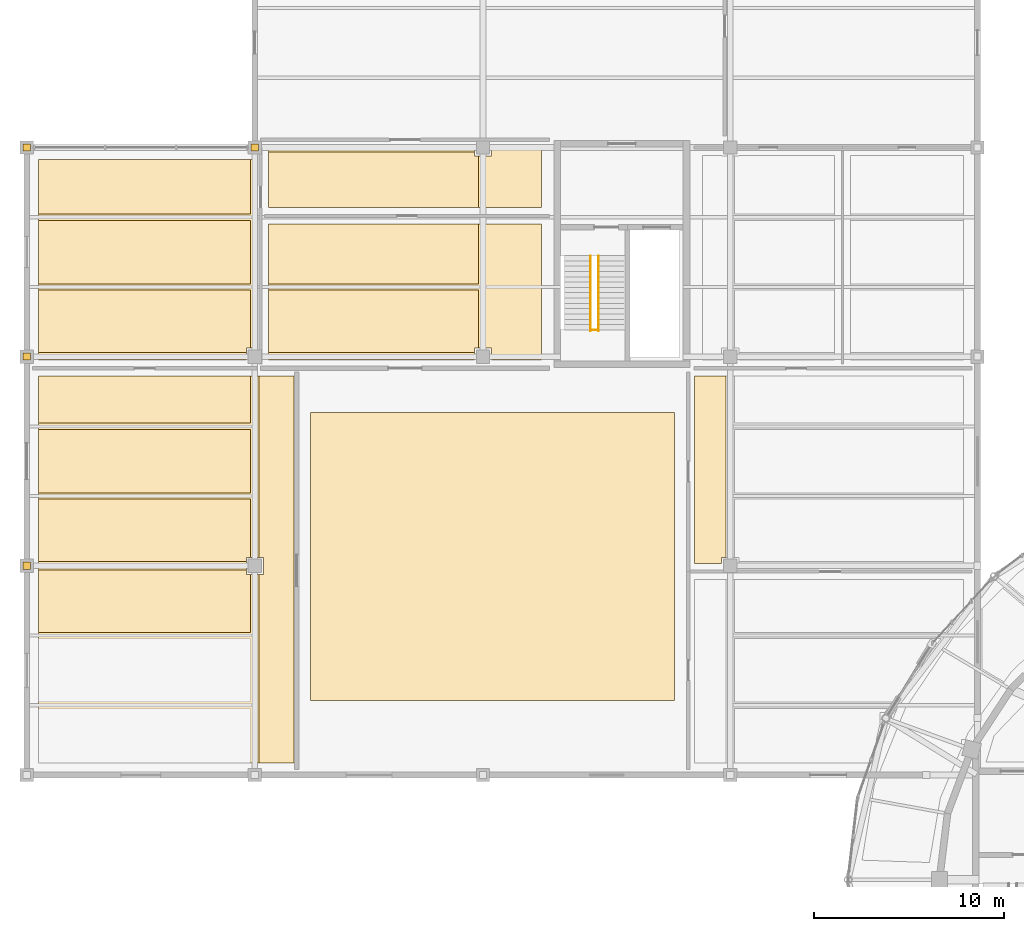
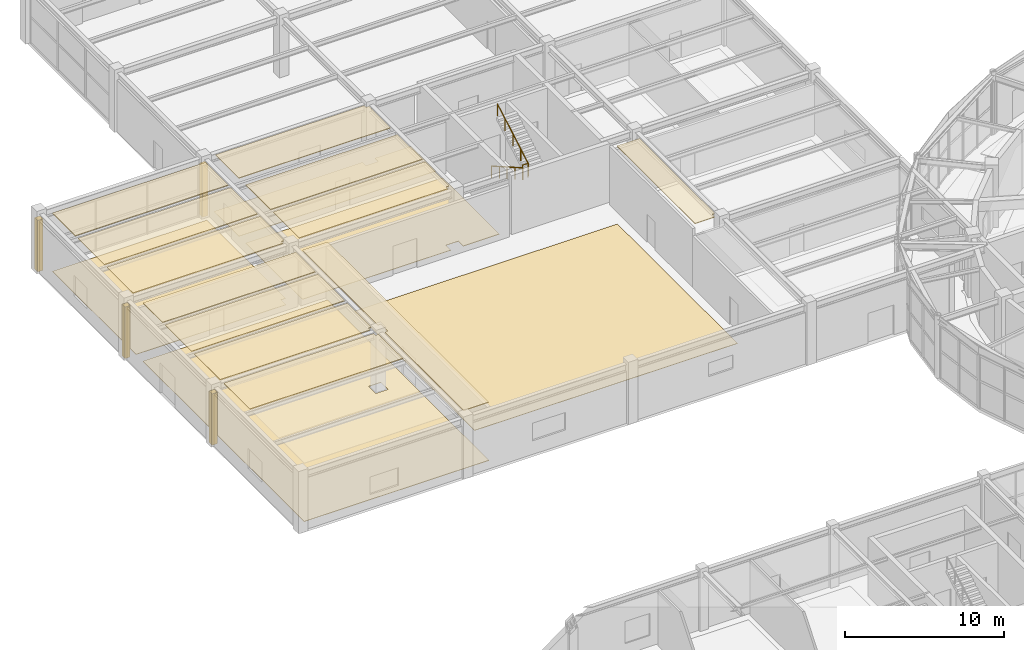
# One storey, part 104 of 108: 21 coverings, 3 railings.
"""IFC4 building model written with IfcOpenShell, lengths in metres."""

from ifc_helpers import new_model, si_unit, direction, frame, origin, origin_2d, place, context, subcontext, project, spatial, polyline, rectangle, circle, outline, extrude, material, layer, layer_set, type_object, element, save


model = new_model("IFC4")

# Units and contexts
model_context = context("Model", 3, precision=1e-05, world=origin(), true_north=direction((0.0, 1.0)))
body_context = subcontext(model_context, "Body", "Model", "MODEL_VIEW")
ifc_project = project(units=[si_unit("LENGTHUNIT", "METRE"), si_unit("AREAUNIT", "SQUARE_METRE"), si_unit("VOLUMEUNIT", "CUBIC_METRE"), si_unit("PLANEANGLEUNIT", "RADIAN"), si_unit("MASSUNIT", "GRAM", prefix="KILO")], contexts=[model_context])

# Site, building, storey
site_placement = place(None, origin())
site = spatial("IfcSite", under=ifc_project, at=site_placement, CompositionType="ELEMENT")
building_placement = place(site_placement, origin())
building = spatial("IfcBuilding", under=site, at=building_placement, Name="Tarnveldt Headland Concert Hall", CompositionType="ELEMENT")
storey_placement = place(building_placement, origin())
storey = spatial("IfcBuildingStorey", under=building, at=storey_placement, Name="L00", CompositionType="ELEMENT", Elevation=0.0)

# Coverings
ifc_material_1 = material(Name="Micro-perforated mvule acoustic ceiling panel", Category="timber")
ifc_layer_1 = layer(ifc_material_1, 0.050048828125, Name="Micro-perforated mvule acoustic ceiling panel", Category="timber")
ifc_layer_set_1 = layer_set([ifc_layer_1], Name="Micro-perforated mvule acoustic ceiling panel")
covering_type_1 = type_object("IfcCoveringType", Name="CV-CEIL50", PredefinedType="CEILING", material=ifc_layer_set_1)
covering_1_placement = place(storey_placement, frame((0.0, 0.0, 4.469970703125)))
element("IfcCovering", 1, at=covering_1_placement, inside=storey, type_object=covering_type_1, Name="Acoustic mvule ceiling L00-28-79", PredefinedType="CEILING", context=body_context, shape_type="SweptSolid", body=[
    extrude(outline(polyline([(42.6298828125, 80.969970703125), (44.27001953125, 80.969970703125), (44.27001953125, 71.449951171875), (44.050048828125, 71.449951171875), (44.050048828125, 71.1298828125), (42.6298828125, 71.1298828125), (42.6298828125, 80.969970703125)])), origin(), (0.0, 0.0, 1.0), 0.050048828125),
])
covering_2_placement = place(storey_placement, frame((0.0, 0.0, 4.469970703125)))
element("IfcCovering", 2, at=covering_2_placement, inside=storey, type_object=covering_type_1, Name="Acoustic mvule ceiling L00-29-81", PredefinedType="CEILING", context=body_context, shape_type="SweptSolid", body=[
    extrude(outline(polyline([(19.050048828125, 70.77001953125), (19.050048828125, 70.550048828125), (19.27001953125, 70.550048828125), (19.27001953125, 67.498046875), (8.1298828125, 67.498046875), (8.1298828125, 70.77001953125), (19.050048828125, 70.77001953125)])), origin(), (0.0, 0.0, 1.0), 0.050048828125),
])
covering_3_placement = place(storey_placement, frame((0.0, 0.0, 4.469970703125)))
element("IfcCovering", 3, at=covering_3_placement, inside=storey, type_object=covering_type_1, Name="Acoustic mvule ceiling L00-29-82", PredefinedType="CEILING", context=body_context, shape_type="SweptSolid", body=[
    extrude(outline(polyline([(19.72998046875, 71.449951171875), (19.72998046875, 80.969970703125), (21.570068359375, 80.969970703125), (21.570068359375, 60.6298828125), (19.72998046875, 60.6298828125), (19.72998046875, 70.550048828125), (19.949951171875, 70.550048828125), (19.949951171875, 71.449951171875), (19.72998046875, 71.449951171875)])), origin(), (0.0, 0.0, 1.0), 0.050048828125),
])
covering_4_placement = place(storey_placement, frame((0.0, 0.0, 4.469970703125)))
element("IfcCovering", 4, at=covering_4_placement, inside=storey, type_object=covering_type_1, Name="Acoustic mvule ceiling L00-29-83", PredefinedType="CEILING", context=body_context, shape_type="SweptSolid", body=[
    extrude(outline(polyline([(19.050048828125, 71.22998046875), (8.1298828125, 71.22998046875), (8.1298828125, 74.501953125), (19.27001953125, 74.501953125), (19.27001953125, 71.449951171875), (19.050048828125, 71.449951171875), (19.050048828125, 71.22998046875)])), origin(), (0.0, 0.0, 1.0), 0.050048828125),
])
covering_5_placement = place(storey_placement, frame((0.0, 0.0, 4.469970703125)))
element("IfcCovering", 5, at=covering_5_placement, inside=storey, type_object=covering_type_1, Name="Acoustic mvule ceiling L00-29-84", PredefinedType="CEILING", context=body_context, shape_type="SweptSolid", body=[
    extrude(outline(polyline([(8.1298828125, 78.16796875), (19.27001953125, 78.16796875), (19.27001953125, 74.83203125), (8.1298828125, 74.83203125), (8.1298828125, 78.16796875)])), origin(), (0.0, 0.0, 1.0), 0.050048828125),
])
covering_6_placement = place(storey_placement, frame((0.0, 0.0, 4.469970703125)))
element("IfcCovering", 6, at=covering_6_placement, inside=storey, type_object=covering_type_1, Name="Acoustic mvule ceiling L00-29-85", PredefinedType="CEILING", context=body_context, shape_type="SweptSolid", body=[
    extrude(outline(polyline([(8.1298828125, 80.969970703125), (19.27001953125, 80.969970703125), (19.27001953125, 78.498046875), (8.1298828125, 78.498046875), (8.1298828125, 80.969970703125)])), origin(), (0.0, 0.0, 1.0), 0.050048828125),
])
covering_7_placement = place(storey_placement, frame((0.0, 0.0, 4.469970703125)))
element("IfcCovering", 7, at=covering_7_placement, inside=storey, type_object=covering_type_1, Name="Acoustic mvule ceiling L00-30-87", PredefinedType="CEILING", context=body_context, shape_type="SweptSolid", body=[
    extrude(outline(polyline([(8.1298828125, 82.22998046875), (8.1298828125, 85.501953125), (19.27001953125, 85.501953125), (19.27001953125, 82.449951171875), (19.050048828125, 82.449951171875), (19.050048828125, 82.22998046875), (8.1298828125, 82.22998046875)])), origin(), (0.0, 0.0, 1.0), 0.050048828125),
])
covering_8_placement = place(storey_placement, frame((0.0, 0.0, 4.469970703125)))
element("IfcCovering", 8, at=covering_8_placement, inside=storey, type_object=covering_type_1, Name="Acoustic mvule ceiling L00-30-88", PredefinedType="CEILING", context=body_context, shape_type="SweptSolid", body=[
    extrude(outline(polyline([(8.1298828125, 89.16796875), (19.27001953125, 89.16796875), (19.27001953125, 85.83203125), (8.1298828125, 85.83203125), (8.1298828125, 89.16796875)])), origin(), (0.0, 0.0, 1.0), 0.050048828125),
])
covering_9_placement = place(storey_placement, frame((0.0, 0.0, 4.469970703125)))
element("IfcCovering", 9, at=covering_9_placement, inside=storey, type_object=covering_type_1, Name="Acoustic mvule ceiling L00-30-89", PredefinedType="CEILING", context=body_context, shape_type="SweptSolid", body=[
    extrude(outline(polyline([(8.1298828125, 92.3701171875), (19.27001953125, 92.3701171875), (19.27001953125, 89.498046875), (8.1298828125, 89.498046875), (8.1298828125, 92.3701171875)])), origin(), (0.0, 0.0, 1.0), 0.050048828125),
])
covering_10_placement = place(storey_placement, frame((0.0, 0.0, 4.469970703125)))
element("IfcCovering", 10, at=covering_10_placement, inside=storey, type_object=covering_type_1, Name="Acoustic mvule ceiling L00-31-90", PredefinedType="CEILING", context=body_context, shape_type="SweptSolid", body=[
    extrude(outline(polyline([(20.22998046875, 82.22998046875), (20.22998046875, 85.501953125), (31.27001953125, 85.501953125), (31.27001953125, 82.449951171875), (31.050048828125, 82.449951171875), (31.050048828125, 82.22998046875), (20.22998046875, 82.22998046875)])), origin(), (0.0, 0.0, 1.0), 0.050048828125),
])
covering_11_placement = place(storey_placement, frame((0.0, 0.0, 4.469970703125)))
element("IfcCovering", 11, at=covering_11_placement, inside=storey, type_object=covering_type_1, Name="Acoustic mvule ceiling L00-31-91", PredefinedType="CEILING", context=body_context, shape_type="SweptSolid", body=[
    extrude(outline(polyline([(31.27001953125, 88.969970703125), (31.27001953125, 85.83203125), (20.22998046875, 85.83203125), (20.22998046875, 88.969970703125), (31.27001953125, 88.969970703125)])), origin(), (0.0, 0.0, 1.0), 0.050048828125),
])
covering_12_placement = place(storey_placement, frame((0.0, 0.0, 4.469970703125)))
element("IfcCovering", 12, at=covering_12_placement, inside=storey, type_object=covering_type_1, Name="Acoustic mvule ceiling L00-32-92", PredefinedType="CEILING", context=body_context, shape_type="SweptSolid", body=[
    extrude(outline(polyline([(20.22998046875, 92.77001953125), (31.050048828125, 92.77001953125), (31.050048828125, 92.550048828125), (31.27001953125, 92.550048828125), (31.27001953125, 89.830078125), (20.22998046875, 89.830078125), (20.22998046875, 92.77001953125)])), origin(), (0.0, 0.0, 1.0), 0.050048828125),
])
ifc_material_2 = material(Name="Treated East African mvule hardwood", Category="wood")
ifc_layer_2 = layer(ifc_material_2, 0.028076171875, Name="Treated East African mvule hardwood", Category="wood")
ifc_layer_set_2 = layer_set([ifc_layer_2], Name="Treated East African mvule hardwood")
covering_type_2 = type_object("IfcCoveringType", Name="CV-FLOR28", PredefinedType="FLOORING", material=ifc_layer_set_2)
covering_13_placement = place(storey_placement, origin())
element("IfcCovering", 13, at=covering_13_placement, inside=storey, type_object=covering_type_2, Name="Architectural flooring L00-26-19", PredefinedType="FLOORING", context=body_context, shape_type="SweptSolid", body=[
    extrude(outline(polyline([(22.429931640625, 79.070068359375), (41.570068359375, 79.070068359375), (41.570068359375, 63.929931640625), (22.429931640625, 63.929931640625), (22.429931640625, 79.070068359375)])), origin(), (0.0, 0.0, 1.0), 0.028076171875),
])
ifc_material_3 = material(Name="Polished coral-aggregate cementitious terrazzo flooring", Category="concrete")
ifc_layer_3 = layer(ifc_material_3, 0.034912109375, Name="Polished coral-aggregate cementitious terrazzo flooring", Category="concrete")
ifc_layer_set_3 = layer_set([ifc_layer_3], Name="Polished coral-aggregate cementitious terrazzo flooring")
covering_type_3 = type_object("IfcCoveringType", Name="CV-FLOR35", PredefinedType="FLOORING", material=ifc_layer_set_3)
covering_14_placement = place(storey_placement, origin())
element("IfcCovering", 14, at=covering_14_placement, inside=storey, type_object=covering_type_3, Name="Architectural flooring L00-29-22", PredefinedType="FLOORING", context=body_context, shape_type="SweptSolid", body=[
    extrude(outline(polyline([(21.570068359375, 80.969970703125), (21.570068359375, 60.6298828125), (8.1298828125, 60.6298828125), (8.1298828125, 80.969970703125), (21.570068359375, 80.969970703125)]), holes=[polyline([(19.050048828125, 71.449951171875), (19.050048828125, 70.550048828125), (19.949951171875, 70.550048828125), (19.949951171875, 71.449951171875), (19.050048828125, 71.449951171875)])]), origin(), (0.0, 0.0, 1.0), 0.034912109375),
])
covering_15_placement = place(storey_placement, origin())
element("IfcCovering", 15, at=covering_15_placement, inside=storey, type_object=covering_type_3, Name="Architectural flooring L00-30-23", PredefinedType="FLOORING", context=body_context, shape_type="SweptSolid", body=[
    extrude(outline(polyline([(19.3701171875, 92.3701171875), (19.3701171875, 82.449951171875), (19.050048828125, 82.449951171875), (19.050048828125, 81.830078125), (8.1298828125, 81.830078125), (8.1298828125, 92.3701171875), (19.3701171875, 92.3701171875)])), origin(), (0.0, 0.0, 1.0), 0.034912109375),
])
covering_16_placement = place(storey_placement, origin())
element("IfcCovering", 16, at=covering_16_placement, inside=storey, type_object=covering_type_3, Name="Architectural flooring L00-31-24", PredefinedType="FLOORING", context=body_context, shape_type="SweptSolid", body=[
    extrude(outline(polyline([(34.570068359375, 88.969970703125), (34.570068359375, 81.830078125), (31.949951171875, 81.830078125), (31.949951171875, 82.449951171875), (31.050048828125, 82.449951171875), (31.050048828125, 81.830078125), (20.22998046875, 81.830078125), (20.22998046875, 88.969970703125), (34.570068359375, 88.969970703125)])), origin(), (0.0, 0.0, 1.0), 0.034912109375),
])
covering_17_placement = place(storey_placement, origin())
element("IfcCovering", 17, at=covering_17_placement, inside=storey, type_object=covering_type_3, Name="Architectural flooring L00-32-25", PredefinedType="FLOORING", context=body_context, shape_type="SweptSolid", body=[
    extrude(outline(polyline([(31.050048828125, 92.969970703125), (31.050048828125, 92.550048828125), (31.949951171875, 92.550048828125), (31.949951171875, 92.969970703125), (34.570068359375, 92.969970703125), (34.570068359375, 89.830078125), (20.22998046875, 89.830078125), (20.22998046875, 92.969970703125), (31.050048828125, 92.969970703125)])), origin(), (0.0, 0.0, 1.0), 0.034912109375),
])
ifc_material_4 = material(Name="Coral-toned precast concrete C40/50", Category="concrete")
ifc_layer_4 = layer(ifc_material_4, 0.360107421875, Name="Coral-toned precast concrete C40/50", Category="concrete")
ifc_layer_set_4 = layer_set([ifc_layer_4], Name="Coral-toned precast concrete C40/50")
covering_type_4 = type_object("IfcCoveringType", Name="CV-JNT360", PredefinedType="CLADDING", material=ifc_layer_set_4)
for number, where, z_axis, x_axis, name in (
    (18, (7.5, 71.0, 0.0), (0.0, 0.0, 1.0), (0.0, 1.0, 0.0), "Precast facade joint closure pilaster L00-117"),
    (19, (7.5, 82.0, 0.0), (0.0, 0.0, 1.0), (0.0, 1.0, 0.0), "Precast facade joint closure pilaster L00-118"),
    (20, (7.5, 93.0, 0.0), (0.0, 0.0, 1.0), (0.0, 1.0, 0.0), "Precast facade joint closure pilaster L00-119"),
    (21, (19.5, 93.0, 0.0), (0.0, 0.0, 1.0), (0.0, 1.0, 0.0), "Precast facade joint closure pilaster L00-122"),
):
    element("IfcCovering", number, at=place(storey_placement, frame(where, z_axis=z_axis, x_axis=x_axis)), inside=storey, type_object=covering_type_4, Name=name, PredefinedType="CLADDING", context=body_context, shape_type="SweptSolid", body=[
        extrude(rectangle(XDim=0.3798828125, YDim=0.3798828125, at=origin_2d()), origin(), (0.0, 0.0, 1.0), 3.9580078125),
    ])

# Railings
ifc_material_5 = material(Name="Marine stainless steel", Category="steel")
ifc_layer_5 = layer(ifc_material_5, 0.06005859375, Name="Marine stainless steel", Category="steel")
ifc_layer_set_5 = layer_set([ifc_layer_5], Name="Marine stainless steel")
railing_type_1 = type_object("IfcRailingType", Name="RL-GRD110", PredefinedType="GUARDRAIL", material=ifc_layer_set_5)
railing_1_placement = place(storey_placement, frame((37.14990234375, 83.39990234375, 2.39990234375)))
element("IfcRailing", 22, at=railing_1_placement, inside=storey, type_object=railing_type_1, Name="GUARD STR-C6-L00 half-landing well", PredefinedType="GUARDRAIL", context=body_context, shape_type="SweptSolid", body=[
    extrude(circle(Radius=0.02392578125, at=origin_2d()), frame((0.0, 0.0, 1.076171875), z_axis=(1.0, 0.0, 0.0), x_axis=(0.0, 1.0, 0.0)), (0.0, 0.0, 1.0), 0.420166015625),
    extrude(circle(Radius=0.02099609375, at=origin_2d()), origin(), (0.0, 0.0, 1.0), 1.052001953125),
    extrude(circle(Radius=0.02099609375, at=origin_2d()), frame((0.420166015625, 0.0, 0.0)), (0.0, 0.0, 1.0), 1.052001953125),
])
ifc_layer_6 = layer(ifc_material_5, 0.048095703125, Name="Marine stainless steel", Category="steel")
ifc_layer_set_6 = layer_set([ifc_layer_6], Name="Marine stainless steel")
railing_type_2 = type_object("IfcRailingType", Name="RL-HND092", PredefinedType="HANDRAIL", material=ifc_layer_set_6)
railing_2_placement = place(storey_placement, frame((37.14990234375, 87.280029296875, 0.159912109375)))
element("IfcRailing", 23, at=railing_2_placement, inside=storey, type_object=railing_type_2, Name="HANDRAIL STR-C6-L00 flight 1", PredefinedType="HANDRAIL", context=body_context, shape_type="SweptSolid", body=[
    extrude(circle(Radius=0.02392578125, at=origin_2d()), frame((0.0, 0.0, 0.89599609375), z_axis=(0.0, -0.868239814368, 0.496144761885), x_axis=(1.0, 0.0, 0.0)), (0.0, 0.0, 1.0), 4.514892578125),
    extrude(circle(Radius=0.02099609375, at=origin_2d()), origin(), (0.0, 0.0, 1.0), 0.871826171875),
    extrude(circle(Radius=0.02099609375, at=origin_2d()), frame((0.0, -0.97998046875, 0.56005859375)), (0.0, 0.0, 1.0), 0.871826171875),
    extrude(circle(Radius=0.02099609375, at=origin_2d()), frame((0.0, -1.9599609375, 1.1201171875)), (0.0, 0.0, 1.0), 0.871826171875),
    extrude(circle(Radius=0.02099609375, at=origin_2d()), frame((0.0, -2.93994140625, 1.679931640625)), (0.0, 0.0, 1.0), 0.871826171875),
    extrude(circle(Radius=0.02099609375, at=origin_2d()), frame((0.0, -3.919921875, 2.239990234375)), (0.0, 0.0, 1.0), 0.871826171875),
])
railing_3_placement = place(storey_placement, frame((37.570068359375, 83.360107421875, 2.56005859375)))
element("IfcRailing", 24, at=railing_3_placement, inside=storey, type_object=railing_type_2, Name="HANDRAIL STR-C6-L00 flight 2", PredefinedType="HANDRAIL", context=body_context, shape_type="SweptSolid", body=[
    extrude(circle(Radius=0.02392578125, at=origin_2d()), frame((0.0, 0.0, 0.89599609375), z_axis=(0.0, 0.868239814368, 0.496144761885), x_axis=(-1.0, 0.0, 0.0)), (0.0, 0.0, 1.0), 4.514892578125),
    extrude(circle(Radius=0.02099609375, at=origin_2d()), origin(), (0.0, 0.0, 1.0), 0.871826171875),
    extrude(circle(Radius=0.02099609375, at=origin_2d()), frame((0.0, 0.97998046875, 0.56005859375)), (0.0, 0.0, 1.0), 0.871826171875),
    extrude(circle(Radius=0.02099609375, at=origin_2d()), frame((0.0, 1.9599609375, 1.1201171875)), (0.0, 0.0, 1.0), 0.871826171875),
    extrude(circle(Radius=0.02099609375, at=origin_2d()), frame((0.0, 2.93994140625, 1.679931640625)), (0.0, 0.0, 1.0), 0.871826171875),
    extrude(circle(Radius=0.02099609375, at=origin_2d()), frame((0.0, 3.919921875, 2.239990234375)), (0.0, 0.0, 1.0), 0.871826171875),
])

save(model, "model.ifc")
